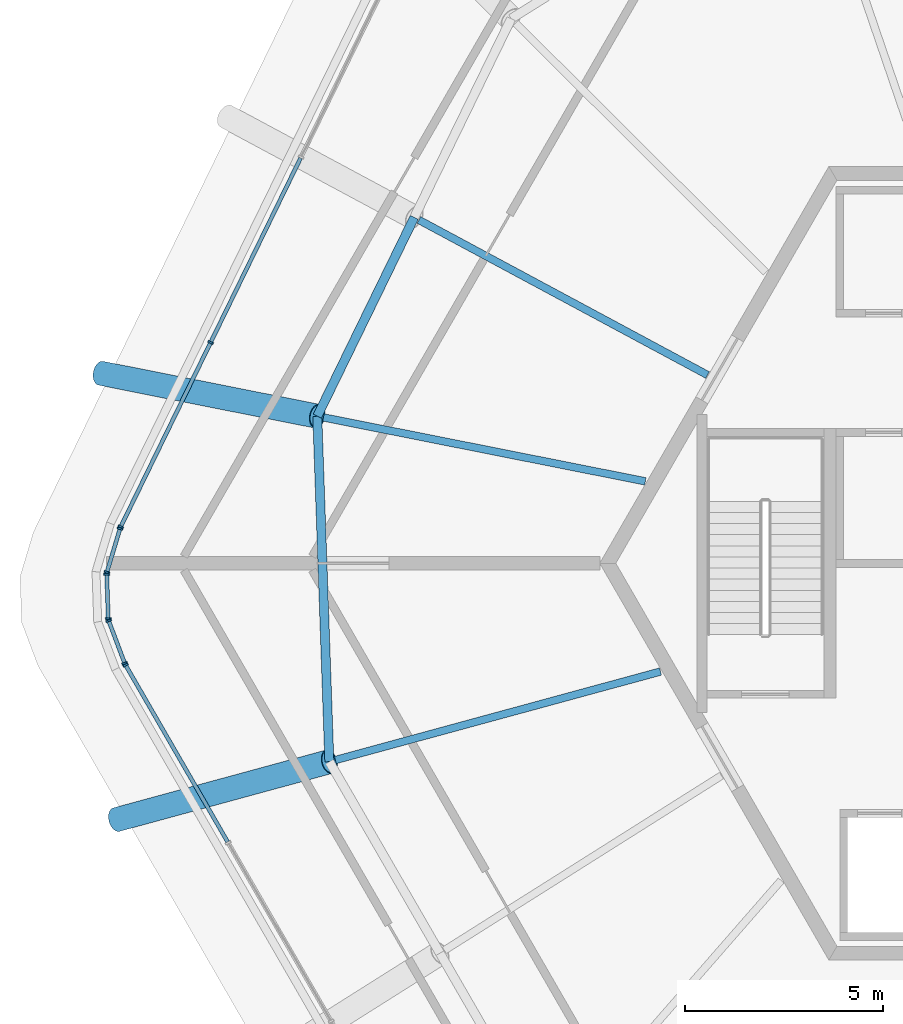
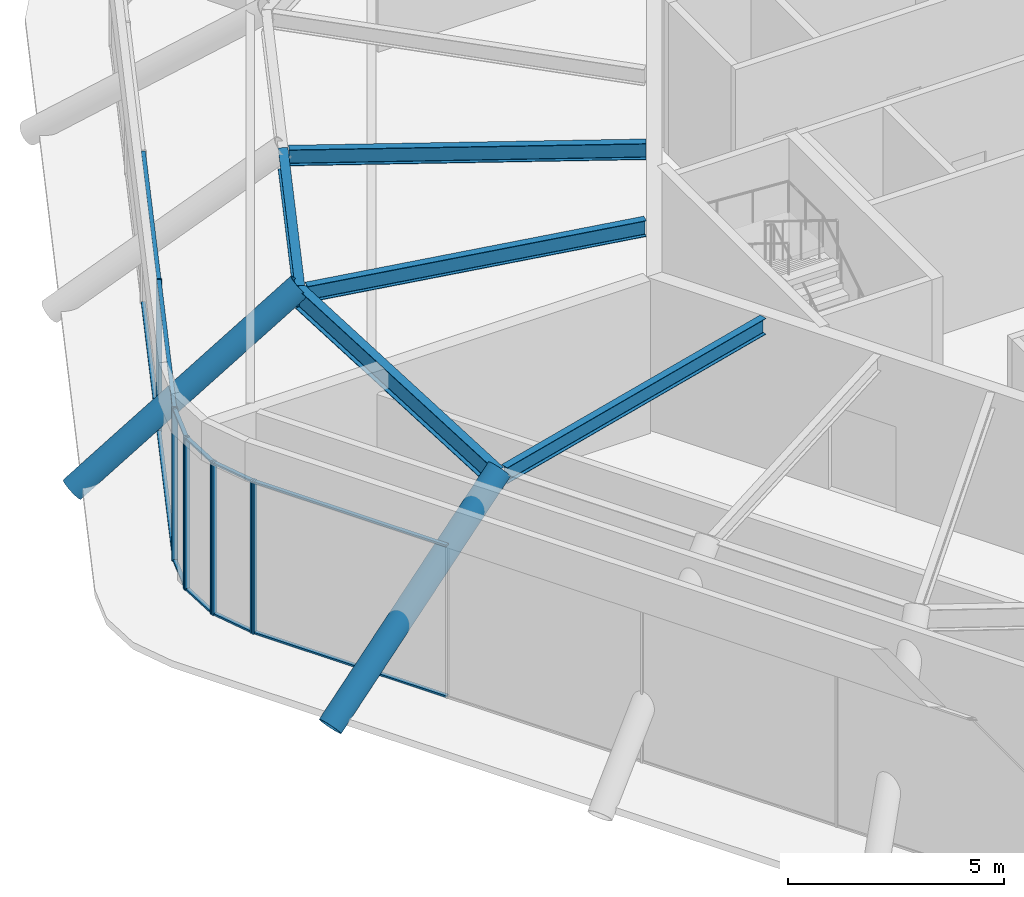
# One storey, part 3 of 13: 23 members, 5 beams, 5 elements without a shape of their own.
"""IFC4 building model written with IfcOpenShell, lengths in metres."""

from ifc_helpers import new_model, si_unit, direction, frame, origin, origin_2d, place, context, subcontext, project, spatial, rectangle, hollow_circle, i_section, extrude, material, material_profile, profile_set, type_object, element, aggregate, save


model = new_model("IFC4")

# Units and contexts
model_context = context("Model", 3, precision=1e-05, world=origin(), true_north=direction((0.0, 1.0)))
body_context = subcontext(model_context, "Body", "Model", "MODEL_VIEW")
ifc_project = project(units=[si_unit("LENGTHUNIT", "METRE"), si_unit("AREAUNIT", "SQUARE_METRE"), si_unit("VOLUMEUNIT", "CUBIC_METRE"), si_unit("PLANEANGLEUNIT", "RADIAN"), si_unit("MASSUNIT", "GRAM", prefix="KILO")], contexts=[model_context])

# Site, building, storey
site_placement = place(None, origin())
site = spatial("IfcSite", under=ifc_project, at=site_placement, CompositionType="ELEMENT")
building_placement = place(site_placement, origin())
building = spatial("IfcBuilding", under=site, at=building_placement, Name="Tarnside Tower", CompositionType="ELEMENT")
storey_placement = place(building_placement, frame((0.0, 0.0, 388.199951171875)))
storey = spatial("IfcBuildingStorey", under=building, at=storey_placement, Name="L92", CompositionType="ELEMENT", Elevation=388.199951171875)

# Curtain wall, member
ifc_material_1 = material(Name="Crown glazing wall", Category="glass")
curtain_wall_type = type_object("IfcCurtainWallType", Name="Crown glazing wall", PredefinedType="NOTDEFINED", material=ifc_material_1)
curtain_wall_1_placement = place(storey_placement, origin())
curtain_wall_1 = element("IfcCurtainWall", 1, at=curtain_wall_1_placement, inside=storey, type_object=curtain_wall_type, Name="Crown glazing L92 16", PredefinedType="NOTDEFINED")
ifc_material_2 = material(Name="Aluminium alloy 6063", Category="aluminium")
ifc_material_profile_1 = material_profile(ifc_material_2, rectangle(XDim=0.139892578125, YDim=0.050048828125, at=origin_2d()), Name="Crown glazing mullion 50 x 140")
ifc_profile_set_1 = profile_set([ifc_material_profile_1], Name="Aluminium alloy 6063")
member_type_1 = type_object("IfcMemberType", Name="Crown glazing mullion 50 x 140", PredefinedType="MULLION", material=ifc_profile_set_1)
member_1_placement = place(storey_placement, frame((-23.49609375, -2.563720703125, 0.0), z_axis=(0.0, 0.0, 1.0), x_axis=(-0.866025403802, -0.49999999997, 0.0)))
member_1 = element("IfcMember", 2, at=member_1_placement, type_object=member_type_1, Name="CW6 mullion 5", PredefinedType="MULLION", context=body_context, shape_type="SweptSolid", body=[
    extrude(rectangle(XDim=0.139892578125, YDim=0.050048828125, at=origin_2d()), origin(), (0.0, 0.0, 1.0), 4.300048828125),
])

# Curtain wall, members
curtain_wall_2_placement = place(storey_placement, origin())
curtain_wall_2 = element("IfcCurtainWall", 3, at=curtain_wall_2_placement, inside=storey, type_object=curtain_wall_type, Name="Crown glazing L92 17", PredefinedType="NOTDEFINED")
member_2_placement = place(storey_placement, frame((-23.517333984375, -2.5185546875, 0.0), z_axis=(0.0, 0.0, 1.0), x_axis=(-0.935649515825, -0.352930564752, 0.0)))
member_2 = element("IfcMember", 4, at=member_2_placement, type_object=member_type_1, Name="CW6 mullion 1", PredefinedType="MULLION", context=body_context, shape_type="SweptSolid", body=[
    extrude(rectangle(XDim=0.139892578125, YDim=0.050048828125, at=origin_2d()), origin(), (0.0, 0.0, 1.0), 4.300048828125),
])
member_3_placement = place(storey_placement, frame((-23.92138671875, -1.44775390625, 0.0), z_axis=(0.0, 0.0, 1.0), x_axis=(-0.935649515825, -0.352930564752, 0.0)))
member_3 = element("IfcMember", 5, at=member_3_placement, type_object=member_type_1, Name="CW6 mullion 2", PredefinedType="MULLION", context=body_context, shape_type="SweptSolid", body=[
    extrude(rectangle(XDim=0.139892578125, YDim=0.050048828125, at=origin_2d()), origin(), (0.0, 0.0, 1.0), 4.300048828125),
])

curtain_wall_3_placement = place(storey_placement, origin())
curtain_wall_3 = element("IfcCurtainWall", 6, at=curtain_wall_3_placement, inside=storey, type_object=curtain_wall_type, Name="Crown glazing L92 18", PredefinedType="NOTDEFINED")
member_4_placement = place(storey_placement, frame((-23.93115234375, -1.399169921875, 0.0), z_axis=(0.0, 0.0, 1.0), x_axis=(-0.999390827005, -0.034899497104, 0.0)))
member_4 = element("IfcMember", 7, at=member_4_placement, type_object=member_type_1, Name="CW6 mullion 1", PredefinedType="MULLION", context=body_context, shape_type="SweptSolid", body=[
    extrude(rectangle(XDim=0.139892578125, YDim=0.050048828125, at=origin_2d()), origin(), (0.0, 0.0, 1.0), 4.300048828125),
])
member_5_placement = place(storey_placement, frame((-23.970458984375, -0.2734375, 0.0), z_axis=(0.0, 0.0, 1.0), x_axis=(-0.999390827005, -0.034899497104, 0.0)))
member_5 = element("IfcMember", 8, at=member_5_placement, type_object=member_type_1, Name="CW6 mullion 2", PredefinedType="MULLION", context=body_context, shape_type="SweptSolid", body=[
    extrude(rectangle(XDim=0.139892578125, YDim=0.050048828125, at=origin_2d()), origin(), (0.0, 0.0, 1.0), 4.300048828125),
])

curtain_wall_4_placement = place(storey_placement, origin())
curtain_wall_4 = element("IfcCurtainWall", 9, at=curtain_wall_4_placement, inside=storey, type_object=curtain_wall_type, Name="Crown glazing L92 19", PredefinedType="NOTDEFINED")
member_6_placement = place(storey_placement, frame((-23.964111328125, -0.224609375, 0.0), z_axis=(0.0, 0.0, 1.0), x_axis=(-0.957989512329, 0.286803232667, 0.0)))
member_6 = element("IfcMember", 10, at=member_6_placement, type_object=member_type_1, Name="CW6 mullion 1", PredefinedType="MULLION", context=body_context, shape_type="SweptSolid", body=[
    extrude(rectangle(XDim=0.139892578125, YDim=0.050048828125, at=origin_2d()), origin(), (0.0, 0.0, 1.0), 4.300048828125),
])
member_7_placement = place(storey_placement, frame((-23.6357421875, 0.8720703125, 0.0), z_axis=(0.0, 0.0, 1.0), x_axis=(-0.957989512329, 0.286803232667, 0.0)))
member_7 = element("IfcMember", 11, at=member_7_placement, type_object=member_type_1, Name="CW6 mullion 2", PredefinedType="MULLION", context=body_context, shape_type="SweptSolid", body=[
    extrude(rectangle(XDim=0.139892578125, YDim=0.050048828125, at=origin_2d()), origin(), (0.0, 0.0, 1.0), 4.300048828125),
])

curtain_wall_5_placement = place(storey_placement, origin())
curtain_wall_5 = element("IfcCurtainWall", 12, at=curtain_wall_5_placement, inside=storey, type_object=curtain_wall_type, Name="Crown glazing L92 20", PredefinedType="NOTDEFINED")
member_8_placement = place(storey_placement, frame((-23.61767578125, 0.91845703125, 0.0), z_axis=(0.0, 0.0, 1.0), x_axis=(-0.898794046292, 0.438371146805, 0.0)))
member_8 = element("IfcMember", 13, at=member_8_placement, type_object=member_type_1, Name="CW6 mullion 1", PredefinedType="MULLION", context=body_context, shape_type="SweptSolid", body=[
    extrude(rectangle(XDim=0.139892578125, YDim=0.050048828125, at=origin_2d()), origin(), (0.0, 0.0, 1.0), 4.300048828125),
])
member_9_placement = place(storey_placement, frame((-21.351318359375, 5.565185546875, 0.0), z_axis=(0.0, 0.0, 1.0), x_axis=(-0.898794046292, 0.438371146805, 0.0)))
member_9 = element("IfcMember", 14, at=member_9_placement, type_object=member_type_1, Name="CW6 mullion 2", PredefinedType="MULLION", context=body_context, shape_type="SweptSolid", body=[
    extrude(rectangle(XDim=0.139892578125, YDim=0.050048828125, at=origin_2d()), origin(), (0.0, 0.0, 1.0), 4.300048828125),
])

# Member
ifc_material_profile_2 = material_profile(ifc_material_2, rectangle(XDim=0.10009765625, YDim=0.050048828125, at=origin_2d()), Name="Crown glazing transom 50 x 100")
ifc_profile_set_2 = profile_set([ifc_material_profile_2], Name="Aluminium alloy 6063")
member_type_2 = type_object("IfcMemberType", Name="Crown glazing transom 50 x 100", PredefinedType="USERDEFINED", material=ifc_profile_set_2)
member_10_placement = place(storey_placement, frame((-20.923583984375, -7.019287109375, 0.025146484375), z_axis=(-0.500005879718, 0.866022009101, 0.0), x_axis=(-0.866022009101, -0.500005879718, 0.0)))
member_10 = element("IfcMember", 15, at=member_10_placement, type_object=member_type_2, Name="CW6 transom 4.1", ObjectType="TRANSOM", PredefinedType="USERDEFINED", context=body_context, shape_type="SweptSolid", body=[
    extrude(rectangle(XDim=0.10009765625, YDim=0.050048828125, at=origin_2d()), origin(), (0.0, 0.0, 1.0), 5.1201171875),
])

member_11_placement = place(storey_placement, frame((-20.923583984375, -7.019287109375, 4.275146484375), z_axis=(-0.500005879718, 0.866022009101, 0.0), x_axis=(-0.866022009101, -0.500005879718, 0.0)))
member_11 = element("IfcMember", 16, at=member_11_placement, type_object=member_type_2, Name="CW6 transom 4.2", ObjectType="TRANSOM", PredefinedType="USERDEFINED", context=body_context, shape_type="SweptSolid", body=[
    extrude(rectangle(XDim=0.10009765625, YDim=0.050048828125, at=origin_2d()), origin(), (0.0, 0.0, 1.0), 5.1201171875),
])

aggregate(curtain_wall_1, [member_1, member_10, member_11])

member_12_placement = place(storey_placement, frame((-23.526123046875, -2.495361328125, 0.025146484375), z_axis=(-0.352979912945, 0.935630900012, 0.0), x_axis=(-0.935630900012, -0.352979912945, 0.0)))
member_12 = element("IfcMember", 17, at=member_12_placement, type_object=member_type_2, Name="CW6 transom 1.1", ObjectType="TRANSOM", PredefinedType="USERDEFINED", context=body_context, shape_type="SweptSolid", body=[
    extrude(rectangle(XDim=0.10009765625, YDim=0.050048828125, at=origin_2d()), origin(), (0.0, 0.0, 1.0), 1.094970703125),
])

member_13_placement = place(storey_placement, frame((-23.526123046875, -2.495361328125, 4.275146484375), z_axis=(-0.352979912945, 0.935630900012, 0.0), x_axis=(-0.935630900012, -0.352979912945, 0.0)))
member_13 = element("IfcMember", 18, at=member_13_placement, type_object=member_type_2, Name="CW6 transom 1.2", ObjectType="TRANSOM", PredefinedType="USERDEFINED", context=body_context, shape_type="SweptSolid", body=[
    extrude(rectangle(XDim=0.10009765625, YDim=0.050048828125, at=origin_2d()), origin(), (0.0, 0.0, 1.0), 1.094970703125),
])

aggregate(curtain_wall_2, [member_2, member_3, member_12, member_13])

member_14_placement = place(storey_placement, frame((-23.931884765625, -1.374267578125, 0.025146484375), z_axis=(-0.034931007224, 0.99938972615, 0.0), x_axis=(-0.99938972615, -0.034931007224, 0.0)))
member_14 = element("IfcMember", 19, at=member_14_placement, type_object=member_type_2, Name="CW6 transom 1.1", ObjectType="TRANSOM", PredefinedType="USERDEFINED", context=body_context, shape_type="SweptSolid", body=[
    extrude(rectangle(XDim=0.10009765625, YDim=0.050048828125, at=origin_2d()), origin(), (0.0, 0.0, 1.0), 1.076416015625),
])

member_15_placement = place(storey_placement, frame((-23.931884765625, -1.374267578125, 4.275146484375), z_axis=(-0.034931007224, 0.99938972615, 0.0), x_axis=(-0.99938972615, -0.034931007224, 0.0)))
member_15 = element("IfcMember", 20, at=member_15_placement, type_object=member_type_2, Name="CW6 transom 1.2", ObjectType="TRANSOM", PredefinedType="USERDEFINED", context=body_context, shape_type="SweptSolid", body=[
    extrude(rectangle(XDim=0.10009765625, YDim=0.050048828125, at=origin_2d()), origin(), (0.0, 0.0, 1.0), 1.076416015625),
])

aggregate(curtain_wall_3, [member_4, member_5, member_14, member_15])

member_16_placement = place(storey_placement, frame((-23.956787109375, -0.20068359375, 0.025146484375), z_axis=(0.286774996141, 0.957997965336, 0.0), x_axis=(-0.957997965336, 0.286774996141, 0.0)))
member_16 = element("IfcMember", 21, at=member_16_placement, type_object=member_type_2, Name="CW6 transom 1.1", ObjectType="TRANSOM", PredefinedType="USERDEFINED", context=body_context, shape_type="SweptSolid", body=[
    extrude(rectangle(XDim=0.10009765625, YDim=0.050048828125, at=origin_2d()), origin(), (0.0, 0.0, 1.0), 1.0947265625),
])

member_17_placement = place(storey_placement, frame((-23.956787109375, -0.20068359375, 4.275146484375), z_axis=(0.286774996141, 0.957997965336, 0.0), x_axis=(-0.957997965336, 0.286774996141, 0.0)))
member_17 = element("IfcMember", 22, at=member_17_placement, type_object=member_type_2, Name="CW6 transom 1.2", ObjectType="TRANSOM", PredefinedType="USERDEFINED", context=body_context, shape_type="SweptSolid", body=[
    extrude(rectangle(XDim=0.10009765625, YDim=0.050048828125, at=origin_2d()), origin(), (0.0, 0.0, 1.0), 1.0947265625),
])

aggregate(curtain_wall_4, [member_6, member_7, member_16, member_17])

member_18_placement = place(storey_placement, frame((-23.606689453125, 0.94091796875, 0.025146484375), z_axis=(0.438360685993, 0.898799148295, 0.0), x_axis=(-0.898799148295, 0.438360685993, 0.0)))
member_18 = element("IfcMember", 23, at=member_18_placement, type_object=member_type_2, Name="CW6 transom 1.1", ObjectType="TRANSOM", PredefinedType="USERDEFINED", context=body_context, shape_type="SweptSolid", body=[
    extrude(rectangle(XDim=0.10009765625, YDim=0.050048828125, at=origin_2d()), origin(), (0.0, 0.0, 1.0), 5.119873046875),
])

member_19_placement = place(storey_placement, frame((-23.606689453125, 0.94091796875, 4.275146484375), z_axis=(0.438360685993, 0.898799148295, 0.0), x_axis=(-0.898799148295, 0.438360685993, 0.0)))
member_19 = element("IfcMember", 24, at=member_19_placement, type_object=member_type_2, Name="CW6 transom 1.2", ObjectType="TRANSOM", PredefinedType="USERDEFINED", context=body_context, shape_type="SweptSolid", body=[
    extrude(rectangle(XDim=0.10009765625, YDim=0.050048828125, at=origin_2d()), origin(), (0.0, 0.0, 1.0), 5.119873046875),
])

member_20_placement = place(storey_placement, frame((-21.34033203125, 5.587646484375, 0.025146484375), z_axis=(0.438365666617, 0.898796719137, 0.0), x_axis=(-0.898796719137, 0.438365666617, 0.0)))
member_20 = element("IfcMember", 25, at=member_20_placement, type_object=member_type_2, Name="CW6 transom 2.1", ObjectType="TRANSOM", PredefinedType="USERDEFINED", context=body_context, shape_type="SweptSolid", body=[
    extrude(rectangle(XDim=0.10009765625, YDim=0.050048828125, at=origin_2d()), origin(), (0.0, 0.0, 1.0), 5.14501953125),
])

member_21_placement = place(storey_placement, frame((-21.34033203125, 5.587646484375, 4.275146484375), z_axis=(0.438365666617, 0.898796719137, 0.0), x_axis=(-0.898796719137, 0.438365666617, 0.0)))
member_21 = element("IfcMember", 26, at=member_21_placement, type_object=member_type_2, Name="CW6 transom 2.2", ObjectType="TRANSOM", PredefinedType="USERDEFINED", context=body_context, shape_type="SweptSolid", body=[
    extrude(rectangle(XDim=0.10009765625, YDim=0.050048828125, at=origin_2d()), origin(), (0.0, 0.0, 1.0), 5.14501953125),
])

aggregate(curtain_wall_5, [member_8, member_9, member_18, member_19, member_20, member_21])

# Beams
ifc_material_3 = material(Name="Steel S355", Category="steel")
ifc_material_profile_3 = material_profile(ifc_material_3, i_section(OverallWidth=0.18994140625, OverallDepth=0.453369140625, WebThickness=0.008544921875, FlangeThickness=0.0126953125, FilletRadius=0.01025390625, at=origin_2d()), Name="UB 457x191x67")
ifc_profile_set_3 = profile_set([ifc_material_profile_3], Name="Steel S355")
beam_type_1 = type_object("IfcBeamType", Name="Floor beam UB 457x191x67", PredefinedType="BEAM", material=ifc_profile_set_3)
beam_1_placement = place(storey_placement, frame((-16.103515625, 8.650634765625, 4.0732421875), z_axis=(0.880935983983, -0.473235451044, 0.0), x_axis=(0.473235451044, 0.880935983983, 0.0)))
element("IfcBeam", 27, at=beam_1_placement, inside=storey, type_object=beam_type_1, Name="Floor beam RB5", PredefinedType="BEAM", context=body_context, shape_type="SweptSolid", body=[
    extrude(i_section(OverallWidth=0.18994140625, OverallDepth=0.453369140625, WebThickness=0.008544921875, FlangeThickness=0.0126953125, FilletRadius=0.01025390625, at=origin_2d()), origin(), (0.0, 0.0, 1.0), 8.25537109375),
])
beam_2_placement = place(storey_placement, frame((-18.509521484375, 3.675048828125, 4.0732421875), z_axis=(0.980854515642, -0.1947419296, 0.0), x_axis=(0.1947419296, 0.980854515642, 0.0)))
element("IfcBeam", 28, at=beam_2_placement, inside=storey, type_object=beam_type_1, Name="Floor beam RB6", PredefinedType="BEAM", context=body_context, shape_type="SweptSolid", body=[
    extrude(i_section(OverallWidth=0.18994140625, OverallDepth=0.453369140625, WebThickness=0.008544921875, FlangeThickness=0.0126953125, FilletRadius=0.01025390625, at=origin_2d()), origin(), (0.0, 0.0, 1.0), 8.26904296875),
])
beam_3_placement = place(storey_placement, frame((-18.2080078125, -4.957275390625, 4.0732421875), z_axis=(0.964880533901, 0.262689084848, 0.0), x_axis=(-0.262689084848, 0.964880533901, 0.0)))
element("IfcBeam", 29, at=beam_3_placement, inside=storey, type_object=beam_type_1, Name="Floor beam RB7", PredefinedType="BEAM", context=body_context, shape_type="SweptSolid", body=[
    extrude(i_section(OverallWidth=0.18994140625, OverallDepth=0.453369140625, WebThickness=0.008544921875, FlangeThickness=0.0126953125, FilletRadius=0.01025390625, at=origin_2d()), origin(), (0.0, 0.0, 1.0), 8.489013671875),
])
ifc_material_profile_4 = material_profile(ifc_material_3, i_section(OverallWidth=0.228271484375, OverallDepth=0.607666015625, WebThickness=0.010986328125, FlangeThickness=0.017333984375, FilletRadius=0.0126953125, at=origin_2d()), Name="UB 610x229x113")
ifc_profile_set_4 = profile_set([ifc_material_profile_4], Name="Steel S355")
beam_type_2 = type_object("IfcBeamType", Name="Floor beam UB 610x229x113", PredefinedType="BEAM", material=ifc_profile_set_4)
beam_4_placement = place(storey_placement, frame((-16.2216796875, 8.714111328125, 3.996337890625), z_axis=(-0.438394282668, -0.898782761808, 0.0), x_axis=(0.898782761808, -0.438394282668, 0.0)))
element("IfcBeam", 30, at=beam_4_placement, inside=storey, type_object=beam_type_2, Name="Floor beam R5", PredefinedType="BEAM", context=body_context, shape_type="SweptSolid", body=[
    extrude(i_section(OverallWidth=0.228271484375, OverallDepth=0.607666015625, WebThickness=0.010986328125, FlangeThickness=0.017333984375, FilletRadius=0.0126953125, at=origin_2d()), origin(), (0.0, 0.0, 1.0), 5.572265625),
])
beam_5_placement = place(storey_placement, frame((-18.66455078125, 3.705810546875, 3.996337890625), z_axis=(0.034897673722, -0.999390890677, 0.0), x_axis=(0.999390890677, 0.034897673722, 0.0)))
element("IfcBeam", 31, at=beam_5_placement, inside=storey, type_object=beam_type_2, Name="Floor beam R6", PredefinedType="BEAM", context=body_context, shape_type="SweptSolid", body=[
    extrude(i_section(OverallWidth=0.228271484375, OverallDepth=0.607666015625, WebThickness=0.010986328125, FlangeThickness=0.017333984375, FilletRadius=0.0126953125, at=origin_2d()), origin(), (0.0, 0.0, 1.0), 8.7099609375),
])

# Members
ifc_material_profile_5 = material_profile(ifc_material_3, hollow_circle(Radius=0.304931640625, WallThickness=0.02490234375, at=origin_2d()), Name="CHS 610x25")
ifc_profile_set_5 = profile_set([ifc_material_profile_5], Name="Steel S355")
member_type_3 = type_object("IfcMemberType", Name="Truss diagonal CHS 610x25", PredefinedType="BRACE", material=ifc_profile_set_5)
member_22_placement = place(storey_placement, frame((-24.11669921875, 4.788330078125, -0.199951171875), z_axis=(0.762349842067, -0.151363926192, 0.62921513026), x_axis=(0.194747622712, 0.980853385297, 0.0)))
element("IfcMember", 32, at=member_22_placement, inside=storey, type_object=member_type_3, Name="Crown leg L92 6", PredefinedType="BRACE", context=body_context, shape_type="SweptSolid", body=[
    extrude(hollow_circle(Radius=0.304931640625, WallThickness=0.02490234375, at=origin_2d()), origin(), (0.0, 0.0, 1.0), 7.15185546875),
])
member_23_placement = place(storey_placement, frame((-23.723876953125, -6.458984375, -0.199951171875), z_axis=(0.749929701371, 0.20417559832, 0.629219967938), x_axis=(-0.262697419072, 0.964878264867, 0.0)))
element("IfcMember", 33, at=member_23_placement, inside=storey, type_object=member_type_3, Name="Crown leg L92 7", PredefinedType="BRACE", context=body_context, shape_type="SweptSolid", body=[
    extrude(hollow_circle(Radius=0.304931640625, WallThickness=0.02490234375, at=origin_2d()), origin(), (0.0, 0.0, 1.0), 7.151611328125),
])

save(model, "model.ifc")
